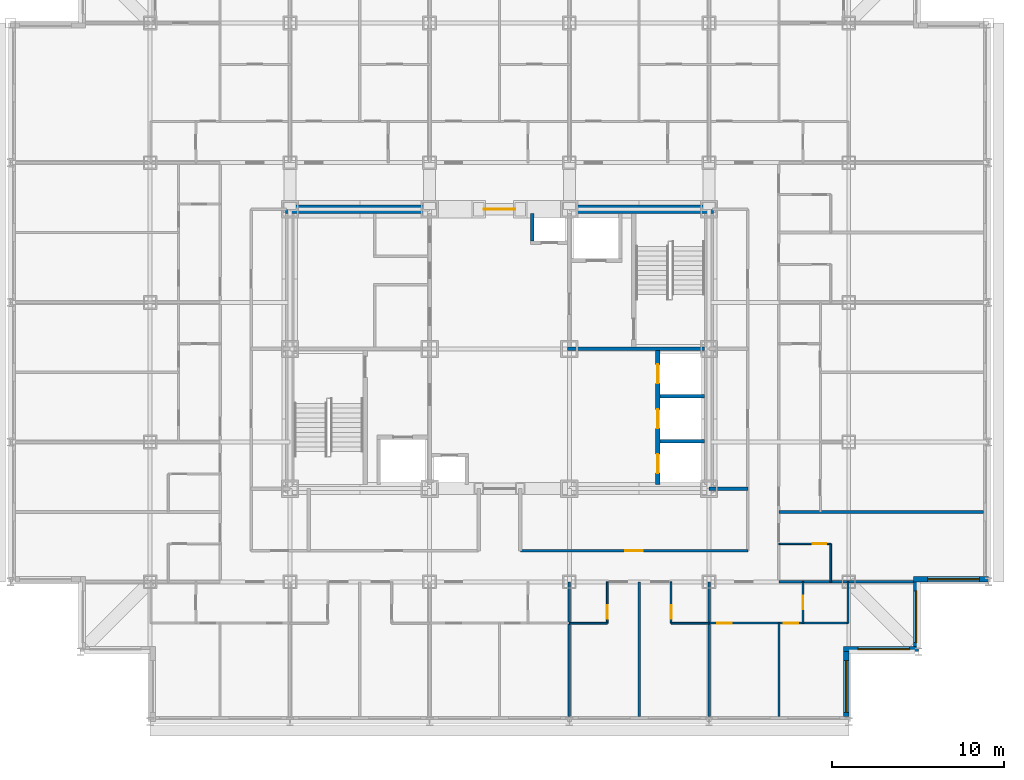
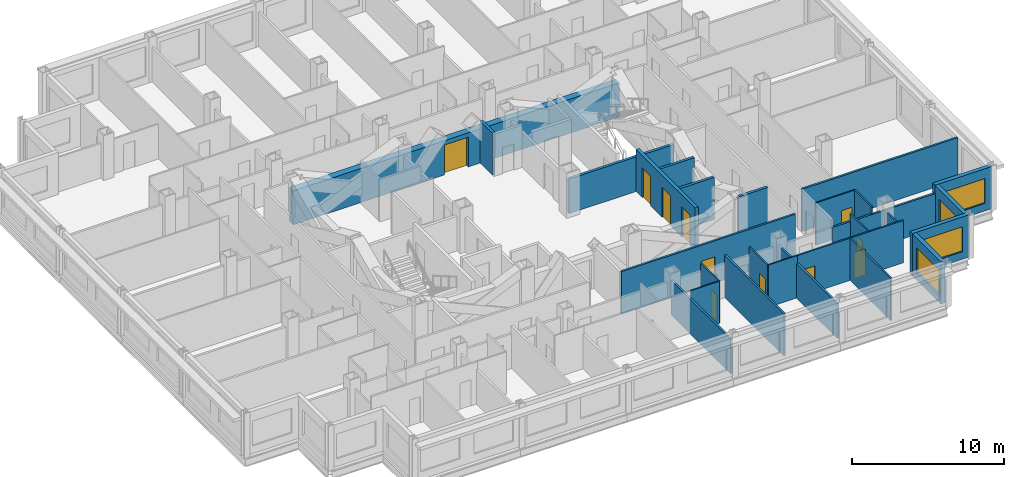
# One storey, part 7 of 12: 27 walls, 11 doors, 4 windows, 15 openings.
"""IFC4 building model written with IfcOpenShell, lengths in metres."""

import ifcopenshell
import ifcopenshell.guid

model = None  # the IFC model being written
_history = None  # IfcOwnerHistory: only IFC2X3 demands one
_inside = {}  # id of a spatial element -> (the spatial element, [elements in it])
_under = {}  # id of a project, library or spatial element -> (it, [spatial elements below it])
_declared = {}  # id of a project -> (the project, [libraries it declares])
_typed = {}  # id of a type object -> (the type object, [elements of that type])
_made_of = {}  # id of a material, layer set ... -> (it, [elements and type objects made of it])


def new_model(schema):
    """Start an empty IFC model of exactly this schema.

    Asked for "IFC4X3", IfcOpenShell would pick the latest addendum, in which some entities
    have other attributes; the version numbers below select the first issue.
    IFC2X3 requires an IfcOwnerHistory on every rooted entity: one is made here for all.
    """
    global model, _history
    if schema == "IFC4X3":
        model = ifcopenshell.file(schema_version=(4, 3, 0, 0))
    else:
        model = ifcopenshell.file(schema=schema)
    _inside.clear()
    _under.clear()
    _declared.clear()
    _typed.clear()
    _made_of.clear()
    _history = None
    if model.schema == "IFC2X3":
        org = make("IfcOrganization", Name="unknown")
        user = make(
            "IfcPersonAndOrganization",
            ThePerson=make("IfcPerson", FamilyName="unknown"),
            TheOrganization=org,
        )
        app = make(
            "IfcApplication",
            ApplicationDeveloper=org,
            Version="unknown",
            ApplicationFullName="unknown",
            ApplicationIdentifier="unknown",
        )
        _history = make(
            "IfcOwnerHistory",
            OwningUser=user,
            OwningApplication=app,
            ChangeAction="ADDED",
            CreationDate=0,
        )
    return model


def make(cls, **values):
    """One entity of the class cls with the attributes given. An attribute that is None is left unset."""
    return model.create_entity(
        cls, **{name: value for name, value in values.items() if value is not None}
    )


def rooted(cls, **values):
    """An entity with a GlobalId (a new one), such as an element, a storey or a relation."""
    return make(cls, GlobalId=ifcopenshell.guid.new(), OwnerHistory=_history, **values)


def si_unit(unit_type, name, prefix=None):
    """IfcSIUnit, for example si_unit("LENGTHUNIT", "METRE", prefix="MILLI")."""
    return make("IfcSIUnit", UnitType=unit_type, Prefix=prefix, Name=name)


def assignment(units):
    """IfcUnitAssignment: the units of a project."""
    return None if units is None else make("IfcUnitAssignment", Units=units)


def point(xyz):
    """IfcCartesianPoint."""
    return None if xyz is None else make("IfcCartesianPoint", Coordinates=xyz)


def direction(xyz):
    """IfcDirection."""
    return None if xyz is None else make("IfcDirection", DirectionRatios=xyz)


def frame(location, z_axis=None, x_axis=None):
    """IfcAxis2Placement3D, a coordinate frame: its origin and axes. An axis left out is left unset."""
    return make(
        "IfcAxis2Placement3D",
        Location=point(location),
        Axis=direction(z_axis),
        RefDirection=direction(x_axis),
    )


def frame_2d(location, x_axis=None):
    """IfcAxis2Placement2D, a coordinate frame in the plane: its origin and x axis."""
    return make(
        "IfcAxis2Placement2D", Location=point(location), RefDirection=direction(x_axis)
    )


def origin():
    """The frame at (0, 0, 0) with its axes left unset."""
    return frame((0.0, 0.0, 0.0))


def place(relative_to, where):
    """IfcLocalPlacement: puts the frame where relative to a parent placement (None: the world)."""
    return make(
        "IfcLocalPlacement", PlacementRelTo=relative_to, RelativePlacement=where
    )


def context(
    kind, dimensions, precision=None, world=None, true_north=None, identifier=None
):
    """IfcGeometricRepresentationContext, for example the 3D "Model" context."""
    return make(
        "IfcGeometricRepresentationContext",
        ContextIdentifier=identifier,
        ContextType=kind,
        CoordinateSpaceDimension=dimensions,
        Precision=precision,
        WorldCoordinateSystem=world,
        TrueNorth=true_north,
    )


def subcontext(parent, identifier, kind, view, scale=None):
    """IfcGeometricRepresentationSubContext, for example "Body" below "Model"."""
    return make(
        "IfcGeometricRepresentationSubContext",
        ContextIdentifier=identifier,
        ContextType=kind,
        ParentContext=parent,
        TargetScale=scale,
        TargetView=view,
    )


def project(units=None, contexts=None):
    """IfcProject with its units and contexts."""
    return rooted(
        "IfcProject",
        Name="project",
        RepresentationContexts=contexts,
        UnitsInContext=assignment(units),
    )


def spatial(cls, under=None, at=None, **own):
    """A site, building, storey or space (cls), placed at a placement, below another one or the project."""
    s = rooted(cls, ObjectPlacement=at, **own)
    if under is not None:
        _under.setdefault(under.id(), (under, []))[1].append(s)
    return s


def profile(cls, at=None, kind="AREA", **sizes):
    """A parametric profile (cls). Its sizes go by their IFC names, for example OverallWidth=200.0."""
    return make(cls, ProfileType=kind, Position=at, **sizes)


def rectangle(**sizes):
    """IfcRectangleProfileDef."""
    return profile("IfcRectangleProfileDef", **sizes)


def extrude(swept, where, along, depth):
    """IfcExtrudedAreaSolid: the profile swept, set in the frame where, extruded along a direction by depth."""
    return make(
        "IfcExtrudedAreaSolid",
        SweptArea=swept,
        Position=where,
        ExtrudedDirection=direction(along),
        Depth=depth,
    )


def shape(context_of_items, identifier, shape_type, items):
    """IfcShapeRepresentation: the items that make up one representation, for example the "Body"."""
    return make(
        "IfcShapeRepresentation",
        ContextOfItems=context_of_items,
        RepresentationIdentifier=identifier,
        RepresentationType=shape_type,
        Items=items,
    )


def material(Name=None, Category=None):
    """IfcMaterial."""
    return make("IfcMaterial", Name=Name, Category=Category)


def layer(
    of_material, thickness, ventilated=None, Name=None, Category=None, Priority=None
):
    """IfcMaterialLayer: one layer of a wall or slab, of a material (None: an air gap)."""
    return make(
        "IfcMaterialLayer",
        Material=of_material,
        LayerThickness=thickness,
        IsVentilated=ventilated,
        Name=Name,
        Category=Category,
        Priority=Priority,
    )


def layer_set(layers, Name=None):
    """IfcMaterialLayerSet."""
    return make("IfcMaterialLayerSet", MaterialLayers=layers, LayerSetName=Name)


def made_of(thing, what):
    """Note that an element or type object is made of a material, layer set ...; save() writes the relation."""
    if what is not None:
        _made_of.setdefault(what.id(), (what, []))[1].append(thing)
    return thing


def type_object(cls, material=None, **own):
    """A type object (cls), such as IfcWallType, which elements share."""
    return made_of(rooted(cls, **own), material)


def element(
    cls,
    number,
    at=None,
    inside=None,
    cuts=None,
    type_object=None,
    material=None,
    context=None,
    identifier="Body",
    shape_type=None,
    held_by="IfcProductDefinitionShape",
    body=None,
    shapes=None,
    **own,
):
    """One element of the class cls, such as IfcWall. Its Tag is "e" and its number.

    at: its placement. inside: the storey or other place that contains it. cuts: it is an
    opening in that element (IfcRelVoidsElement). A single representation is given by context,
    identifier, shape_type and body (its items); several are given by shapes. held_by: the class
    of the entity that holds the representations. save() writes the other relations.
    """
    e = rooted(cls, Tag="e%d" % number, ObjectPlacement=at, **own)
    if body is not None:
        shapes = [shape(context, identifier, shape_type, body)]
    if shapes is not None:
        e.Representation = make(held_by, Representations=shapes)
    if inside is not None:
        _inside.setdefault(inside.id(), (inside, []))[1].append(e)
    if cuts is not None:
        rooted(
            "IfcRelVoidsElement", RelatingBuildingElement=cuts, RelatedOpeningElement=e
        )
    if type_object is not None:
        _typed.setdefault(type_object.id(), (type_object, []))[1].append(e)
    return made_of(e, material)


def fill(opening, filler):
    """IfcRelFillsElement: the door or window that sits in an opening."""
    return rooted(
        "IfcRelFillsElement",
        RelatingOpeningElement=opening,
        RelatedBuildingElement=filler,
    )


def aggregate(whole, parts):
    """IfcRelAggregates: a whole, such as a stair, and the parts it consists of."""
    return rooted("IfcRelAggregates", RelatingObject=whole, RelatedObjects=parts)


def save(model, path):
    """Write the relations noted so far, then the file.

    IfcRelAggregates (storeys below a building ...), IfcRelContainedInSpatialStructure (elements
    in a storey), IfcRelDefinesByType, IfcRelAssociatesMaterial and IfcRelDeclares: one each for
    every whole, place, type object, material and project.
    """
    for whole, parts in _under.values():
        aggregate(whole, parts)
    for where, things in _inside.values():
        rooted(
            "IfcRelContainedInSpatialStructure",
            RelatedElements=things,
            RelatingStructure=where,
        )
    for kind, things in _typed.values():
        rooted("IfcRelDefinesByType", RelatedObjects=things, RelatingType=kind)
    for what, things in _made_of.values():
        rooted("IfcRelAssociatesMaterial", RelatedObjects=things, RelatingMaterial=what)
    for by, libraries in _declared.values():
        rooted("IfcRelDeclares", RelatingContext=by, RelatedDefinitions=libraries)
    model.write(path)


model = new_model("IFC4")

# Units and contexts
model_context = context("Model", 3, precision=1e-05, world=origin(), true_north=direction((0.0, 1.0)))
body_context = subcontext(model_context, "Body", "Model", "MODEL_VIEW")
ifc_project = project(units=[si_unit("LENGTHUNIT", "METRE"), si_unit("AREAUNIT", "SQUARE_METRE"), si_unit("VOLUMEUNIT", "CUBIC_METRE"), si_unit("PLANEANGLEUNIT", "RADIAN"), si_unit("MASSUNIT", "GRAM", prefix="KILO")], contexts=[model_context])

# Site, building, storey
site_placement = place(None, origin())
site = spatial("IfcSite", under=ifc_project, at=site_placement, CompositionType="ELEMENT")
building_placement = place(site_placement, origin())
building = spatial("IfcBuilding", under=site, at=building_placement, Name="Kopane Lantern Tower", CompositionType="ELEMENT")
storey_placement = place(building_placement, frame((0.0, 0.0, 177.60009765625)))
storey = spatial("IfcBuildingStorey", under=building, at=storey_placement, Name="L45", CompositionType="ELEMENT", Elevation=177.60009765625)

# Wall, openings, doors
ifc_material_1 = material(Name="Gypsum board on steel studs", Category="steel")
ifc_layer_1 = layer(ifc_material_1, 0.1201171875)
ifc_layer_set_1 = layer_set([ifc_layer_1], Name="APARTMENT INTERNAL WALL 120")
wall_type_1 = type_object("IfcWallType", Name="APARTMENT INTERNAL WALL 120", PredefinedType="PARTITIONING", material=ifc_layer_set_1)
wall_1_placement = place(storey_placement, frame((40.5, 16.5, 0.0), z_axis=(0.0, 0.0, 1.0), x_axis=(1.0, 0.0, 0.0)))
wall_1 = element("IfcWall", 1, at=wall_1_placement, inside=storey, type_object=wall_type_1, Name="Apartment Internal Wall 120 L45", PredefinedType="PARTITIONING", context=body_context, shape_type="SweptSolid", body=[
    extrude(rectangle(XDim=8.050048828125, YDim=0.1201171875, at=frame_2d((4.02490234375, 0.0))), origin(), (0.0, 0.0, 1.0), 3.389892578125),
])
opening_1_placement = place(wall_1_placement, frame((0.47509765625, 0.0, 0.0)))
opening_1 = element("IfcOpeningElement", 2, at=opening_1_placement, cuts=wall_1, Name="Opening L45-059", PredefinedType="OPENING", context=body_context, shape_type="SweptSolid", body=[
    extrude(rectangle(XDim=0.85009765625, YDim=2.10009765625, at=frame_2d((0.425048828125, 1.050048828125))), frame((0.0, 0.070068359375, 0.0), z_axis=(0.0, -1.0, 0.0), x_axis=(1.0, 0.0, 0.0)), (0.0, 0.0, 1.0), 0.14013671875),
])
opening_2_placement = place(wall_1_placement, frame((4.324951171875, 0.0, 0.0)))
opening_2 = element("IfcOpeningElement", 3, at=opening_2_placement, cuts=wall_1, Name="Opening L45-061", PredefinedType="OPENING", context=body_context, shape_type="SweptSolid", body=[
    extrude(rectangle(XDim=0.85009765625, YDim=2.10009765625, at=frame_2d((0.425048828125, 1.050048828125))), frame((0.0, 0.070068359375, 0.0), z_axis=(0.0, -1.0, 0.0), x_axis=(1.0, 0.0, 0.0)), (0.0, 0.0, 1.0), 0.14013671875),
])
ifc_material_2 = material(Name="Timber door set", Category="wood")
door_type_1 = type_object("IfcDoorType", Name="DOOR D4 850x2100", OperationType="SINGLE_SWING_LEFT", PredefinedType="DOOR", material=ifc_material_2)
door_1_placement = place(opening_1_placement, origin())
door_1 = element("IfcDoor", 4, at=door_1_placement, inside=storey, type_object=door_type_1, Name="Door L45-059", OperationType="SINGLE_SWING_LEFT", OverallHeight=2.10009765625, OverallWidth=0.85009765625, PredefinedType="DOOR", context=body_context, shape_type="SweptSolid", body=[
    extrude(rectangle(XDim=0.85009765625, YDim=2.10009765625, at=frame_2d((0.425048828125, 1.050048828125))), frame((0.0, 0.02490234375, 0.0), z_axis=(0.0, -1.0, 0.0), x_axis=(1.0, 0.0, 0.0)), (0.0, 0.0, 1.0), 0.050048828125),
])
fill(opening_1, door_1)
door_2_placement = place(opening_2_placement, origin())
door_2 = element("IfcDoor", 5, at=door_2_placement, inside=storey, type_object=door_type_1, Name="Door L45-061", OperationType="SINGLE_SWING_RIGHT", OverallHeight=2.10009765625, OverallWidth=0.85009765625, PredefinedType="DOOR", context=body_context, shape_type="SweptSolid", body=[
    extrude(rectangle(XDim=0.85009765625, YDim=2.10009765625, at=frame_2d((0.425048828125, 1.050048828125))), frame((0.0, 0.02490234375, 0.0), z_axis=(0.0, -1.0, 0.0), x_axis=(1.0, 0.0, 0.0)), (0.0, 0.0, 1.0), 0.050048828125),
])
fill(opening_2, door_2)

# Walls
wall_2_placement = place(storey_placement, frame((44.550048828125, 16.5, 0.0), z_axis=(0.0, 0.0, 1.0), x_axis=(0.0, -1.0, 0.0)))
element("IfcWall", 6, at=wall_2_placement, inside=storey, type_object=wall_type_1, Name="Apartment Internal Wall 120 L45", PredefinedType="PARTITIONING", context=body_context, shape_type="SweptSolid", body=[
    extrude(rectangle(XDim=5.39990234375, YDim=0.1201171875, at=frame_2d((2.699951171875, 0.0))), origin(), (0.0, 0.0, 1.0), 3.389892578125),
])
ifc_material_3 = material(Name="Moisture-resistant board on steel studs", Category="steel")
ifc_layer_2 = layer(ifc_material_3, 0.10009765625)
ifc_layer_set_2 = layer_set([ifc_layer_2], Name="BATHROOM WALL 100")
wall_type_2 = type_object("IfcWallType", Name="BATHROOM WALL 100", PredefinedType="PARTITIONING", material=ifc_layer_set_2)
wall_3_placement = place(storey_placement, frame((32.39990234375, 16.5, 0.0), z_axis=(0.0, 0.0, 1.0), x_axis=(1.0, 0.0, 0.0)))
element("IfcWall", 7, at=wall_3_placement, inside=storey, type_object=wall_type_2, Name="Bathroom Wall 100 L45", PredefinedType="PARTITIONING", context=body_context, shape_type="SweptSolid", body=[
    extrude(rectangle(XDim=2.2001953125, YDim=0.10009765625, at=frame_2d((1.10009765625, 0.0))), origin(), (0.0, 0.0, 1.0), 3.389892578125),
])

# Wall, opening, door
wall_4_placement = place(storey_placement, frame((34.60009765625, 18.89990234375, 0.0), z_axis=(0.0, 0.0, 1.0), x_axis=(0.0, -1.0, 0.0)))
wall_4 = element("IfcWall", 8, at=wall_4_placement, inside=storey, type_object=wall_type_2, Name="Bathroom Wall 100 L45", PredefinedType="PARTITIONING", context=body_context, shape_type="SweptSolid", body=[
    extrude(rectangle(XDim=2.39990234375, YDim=0.10009765625, at=frame_2d((1.199951171875, 0.0))), origin(), (0.0, 0.0, 1.0), 3.389892578125),
])
opening_3_placement = place(wall_4_placement, frame((1.35009765625, 0.0, 0.0)))
opening_3 = element("IfcOpeningElement", 9, at=opening_3_placement, cuts=wall_4, Name="Opening L45-016", PredefinedType="OPENING", context=body_context, shape_type="SweptSolid", body=[
    extrude(rectangle(XDim=0.800048828125, YDim=2.10009765625, at=frame_2d((0.39990234375, 1.050048828125))), frame((0.0, 0.06005859375, 0.0), z_axis=(0.0, -1.0, 0.0), x_axis=(1.0, 0.0, 0.0)), (0.0, 0.0, 1.0), 0.1201171875),
])
ifc_material_4 = material(Name="Timber door set", Category="wood")
door_type_2 = type_object("IfcDoorType", Name="DOOR D2 800x2100", OperationType="SINGLE_SWING_LEFT", PredefinedType="DOOR", material=ifc_material_4)
door_3_placement = place(opening_3_placement, origin())
door_3 = element("IfcDoor", 10, at=door_3_placement, inside=storey, type_object=door_type_2, Name="Door L45-016", OperationType="SINGLE_SWING_LEFT", OverallHeight=2.10009765625, OverallWidth=0.800048828125, PredefinedType="DOOR", context=body_context, shape_type="SweptSolid", body=[
    extrude(rectangle(XDim=0.800048828125, YDim=2.10009765625, at=frame_2d((0.39990234375, 1.050048828125))), frame((0.0, 0.02490234375, 0.0), z_axis=(0.0, -1.0, 0.0), x_axis=(1.0, 0.0, 0.0)), (0.0, 0.0, 1.0), 0.050048828125),
])
fill(opening_3, door_3)

# Wall
wall_5_placement = place(storey_placement, frame((38.300048828125, 16.5, 0.0), z_axis=(0.0, 0.0, 1.0), x_axis=(1.0, 0.0, 0.0)))
element("IfcWall", 11, at=wall_5_placement, inside=storey, type_object=wall_type_2, Name="Bathroom Wall 100 L45", PredefinedType="PARTITIONING", context=body_context, shape_type="SweptSolid", body=[
    extrude(rectangle(XDim=2.199951171875, YDim=0.10009765625, at=frame_2d((1.10009765625, 0.0))), origin(), (0.0, 0.0, 1.0), 3.389892578125),
])

# Wall, opening, door
wall_6_placement = place(storey_placement, frame((38.300048828125, 18.89990234375, 0.0), z_axis=(0.0, 0.0, 1.0), x_axis=(0.0, -1.0, 0.0)))
wall_6 = element("IfcWall", 12, at=wall_6_placement, inside=storey, type_object=wall_type_2, Name="Bathroom Wall 100 L45", PredefinedType="PARTITIONING", context=body_context, shape_type="SweptSolid", body=[
    extrude(rectangle(XDim=2.39990234375, YDim=0.10009765625, at=frame_2d((1.199951171875, 0.0))), origin(), (0.0, 0.0, 1.0), 3.389892578125),
])
opening_4_placement = place(wall_6_placement, frame((1.35009765625, 0.0, 0.0)))
opening_4 = element("IfcOpeningElement", 13, at=opening_4_placement, cuts=wall_6, Name="Opening L45-018", PredefinedType="OPENING", context=body_context, shape_type="SweptSolid", body=[
    extrude(rectangle(XDim=0.800048828125, YDim=2.10009765625, at=frame_2d((0.39990234375, 1.050048828125))), frame((0.0, 0.06005859375, 0.0), z_axis=(0.0, -1.0, 0.0), x_axis=(1.0, 0.0, 0.0)), (0.0, 0.0, 1.0), 0.1201171875),
])
door_4_placement = place(opening_4_placement, origin())
door_4 = element("IfcDoor", 14, at=door_4_placement, inside=storey, type_object=door_type_2, Name="Door L45-018", OperationType="SINGLE_SWING_RIGHT", OverallHeight=2.10009765625, OverallWidth=0.800048828125, PredefinedType="DOOR", context=body_context, shape_type="SweptSolid", body=[
    extrude(rectangle(XDim=0.800048828125, YDim=2.10009765625, at=frame_2d((0.39990234375, 1.050048828125))), frame((0.0, 0.02490234375, 0.0), z_axis=(0.0, -1.0, 0.0), x_axis=(1.0, 0.0, 0.0)), (0.0, 0.0, 1.0), 0.050048828125),
])
fill(opening_4, door_4)

# Wall
wall_7_placement = place(storey_placement, frame((47.550048828125, 18.89990234375, 0.0), z_axis=(0.0, 0.0, 1.0), x_axis=(0.0, 1.0, 0.0)))
element("IfcWall", 15, at=wall_7_placement, inside=storey, type_object=wall_type_2, Name="Bathroom Wall 100 L45", PredefinedType="PARTITIONING", context=body_context, shape_type="SweptSolid", body=[
    extrude(rectangle(XDim=2.2001953125, YDim=0.10009765625, at=frame_2d((1.10009765625, 0.0))), origin(), (0.0, 0.0, 1.0), 3.389892578125),
])

# Wall, opening, door
wall_8_placement = place(storey_placement, frame((44.550048828125, 21.10009765625, 0.0), z_axis=(0.0, 0.0, 1.0), x_axis=(1.0, 0.0, 0.0)))
wall_8 = element("IfcWall", 16, at=wall_8_placement, inside=storey, type_object=wall_type_2, Name="Bathroom Wall 100 L45", PredefinedType="PARTITIONING", context=body_context, shape_type="SweptSolid", body=[
    extrude(rectangle(XDim=3.0, YDim=0.10009765625, at=frame_2d((1.5, 0.0))), origin(), (0.0, 0.0, 1.0), 3.389892578125),
])
opening_5_placement = place(wall_8_placement, frame((1.949951171875, 0.0, 0.0)))
opening_5 = element("IfcOpeningElement", 17, at=opening_5_placement, cuts=wall_8, Name="Opening L45-044", PredefinedType="OPENING", context=body_context, shape_type="SweptSolid", body=[
    extrude(rectangle(XDim=0.800048828125, YDim=2.10009765625, at=frame_2d((0.39990234375, 1.050048828125))), frame((0.0, 0.06005859375, 0.0), z_axis=(0.0, -1.0, 0.0), x_axis=(1.0, 0.0, 0.0)), (0.0, 0.0, 1.0), 0.1201171875),
])
door_5_placement = place(opening_5_placement, origin())
door_5 = element("IfcDoor", 18, at=door_5_placement, inside=storey, type_object=door_type_2, Name="Door L45-044", OperationType="SINGLE_SWING_LEFT", OverallHeight=2.10009765625, OverallWidth=0.800048828125, PredefinedType="DOOR", context=body_context, shape_type="SweptSolid", body=[
    extrude(rectangle(XDim=0.800048828125, YDim=2.10009765625, at=frame_2d((0.39990234375, 1.050048828125))), frame((0.0, 0.02490234375, 0.0), z_axis=(0.0, -1.0, 0.0), x_axis=(1.0, 0.0, 0.0)), (0.0, 0.0, 1.0), 0.050048828125),
])
fill(opening_5, door_5)

wall_9_placement = place(storey_placement, frame((45.949951171875, 18.89990234375, 0.0), z_axis=(0.0, 0.0, 1.0), x_axis=(0.0, -1.0, 0.0)))
wall_9 = element("IfcWall", 19, at=wall_9_placement, inside=storey, type_object=wall_type_2, Name="Bathroom Wall 100 L45", PredefinedType="PARTITIONING", context=body_context, shape_type="SweptSolid", body=[
    extrude(rectangle(XDim=2.39990234375, YDim=0.10009765625, at=frame_2d((1.199951171875, 0.0))), origin(), (0.0, 0.0, 1.0), 3.389892578125),
])
opening_6_placement = place(wall_9_placement, frame((0.800048828125, 0.0, 0.0)))
opening_6 = element("IfcOpeningElement", 20, at=opening_6_placement, cuts=wall_9, Name="Opening L45-060", PredefinedType="OPENING", context=body_context, shape_type="SweptSolid", body=[
    extrude(rectangle(XDim=0.800048828125, YDim=2.10009765625, at=frame_2d((0.39990234375, 1.050048828125))), frame((0.0, 0.06005859375, 0.0), z_axis=(0.0, -1.0, 0.0), x_axis=(1.0, 0.0, 0.0)), (0.0, 0.0, 1.0), 0.1201171875),
])
door_6_placement = place(opening_6_placement, origin())
door_6 = element("IfcDoor", 21, at=door_6_placement, inside=storey, type_object=door_type_2, Name="Door L45-060", OperationType="SINGLE_SWING_LEFT", OverallHeight=2.10009765625, OverallWidth=0.800048828125, PredefinedType="DOOR", context=body_context, shape_type="SweptSolid", body=[
    extrude(rectangle(XDim=0.800048828125, YDim=2.10009765625, at=frame_2d((0.39990234375, 1.050048828125))), frame((0.0, 0.02490234375, 0.0), z_axis=(0.0, -1.0, 0.0), x_axis=(1.0, 0.0, 0.0)), (0.0, 0.0, 1.0), 0.050048828125),
])
fill(opening_6, door_6)

# Wall
wall_10_placement = place(storey_placement, frame((48.550048828125, 18.89990234375, 0.0), z_axis=(0.0, 0.0, 1.0), x_axis=(0.0, -1.0, 0.0)))
element("IfcWall", 22, at=wall_10_placement, inside=storey, type_object=wall_type_2, Name="Bathroom Wall 100 L45", PredefinedType="PARTITIONING", context=body_context, shape_type="SweptSolid", body=[
    extrude(rectangle(XDim=2.39990234375, YDim=0.10009765625, at=frame_2d((1.199951171875, 0.0))), origin(), (0.0, 0.0, 1.0), 2.777587890625),
])

# Wall, opening, door
ifc_material_5 = material(Name="Gypsum shaft wall EI 120", Category="gypsum")
ifc_layer_3 = layer(ifc_material_5, 0.5)
ifc_layer_set_3 = layer_set([ifc_layer_3], Name="CORE PERIMETER WALL 500 EI 120")
wall_type_3 = type_object("IfcWallType", Name="CORE PERIMETER WALL 500 EI 120", PredefinedType="SOLIDWALL", material=ifc_layer_set_3)
wall_11_placement = place(storey_placement, frame((15.949951171875, 40.5, 0.0), z_axis=(0.0, 0.0, 1.0), x_axis=(1.0, 0.0, 0.0)))
wall_11 = element("IfcWall", 23, at=wall_11_placement, inside=storey, type_object=wall_type_3, Name="Core shaft wall L45 PN", PredefinedType="SOLIDWALL", context=body_context, shape_type="SweptSolid", body=[
    extrude(rectangle(XDim=24.800048828125, YDim=0.5, at=frame_2d((12.39990234375, 0.0))), origin(), (0.0, 0.0, 1.0), 2.739990234375),
])
opening_7_placement = place(wall_11_placement, frame((11.5, 0.0, 0.0)))
opening_7 = element("IfcOpeningElement", 24, at=opening_7_placement, cuts=wall_11, Name="Opening 45.CE-N", PredefinedType="OPENING", context=body_context, shape_type="SweptSolid", body=[
    extrude(rectangle(XDim=1.800048828125, YDim=2.39990234375, at=frame_2d((0.89990234375, 1.199951171875))), frame((0.0, 0.260009765625, 0.0), z_axis=(0.0, -1.0, 0.0), x_axis=(1.0, 0.0, 0.0)), (0.0, 0.0, 1.0), 0.52001953125),
])
ifc_material_6 = material(Name="Steel door set", Category="steel")
door_type_3 = type_object("IfcDoorType", Name="CORE ENTRY DOOR 1800x2400 FD60S", OperationType="DOUBLE_DOOR_SINGLE_SWING", PredefinedType="DOOR", material=ifc_material_6)
door_7_placement = place(opening_7_placement, origin())
door_7 = element("IfcDoor", 25, at=door_7_placement, inside=storey, type_object=door_type_3, Name="Core entry door L45 north", OperationType="DOUBLE_DOOR_SINGLE_SWING", OverallHeight=2.39990234375, OverallWidth=1.800048828125, PredefinedType="DOOR", context=body_context, shape_type="SweptSolid", body=[
    extrude(rectangle(XDim=1.800048828125, YDim=2.39990234375, at=frame_2d((0.89990234375, 1.199951171875))), frame((0.0, 0.02490234375, 0.0), z_axis=(0.0, -1.0, 0.0), x_axis=(1.0, 0.0, 0.0)), (0.0, 0.0, 1.0), 0.050048828125),
])
fill(opening_7, door_7)

# Wall, openings, doors
ifc_material_7 = material(Name="Gypsum shaft wall EI 120", Category="gypsum")
ifc_layer_4 = layer(ifc_material_7, 0.25)
ifc_layer_set_4 = layer_set([ifc_layer_4], Name="CORE SHAFT WALL 250 EI 120")
wall_type_4 = type_object("IfcWallType", Name="CORE SHAFT WALL 250 EI 120", PredefinedType="SOLIDWALL", material=ifc_layer_set_4)
wall_12_placement = place(storey_placement, frame((37.52490234375, 24.550048828125, 0.0), z_axis=(0.0, 0.0, 1.0), x_axis=(0.0, 1.0, 0.0)))
wall_12 = element("IfcWall", 26, at=wall_12_placement, inside=storey, type_object=wall_type_4, Name="Core shaft wall L45 XLR", PredefinedType="SOLIDWALL", context=body_context, shape_type="SweptSolid", body=[
    extrude(rectangle(XDim=7.75, YDim=0.25, at=frame_2d((3.875, 0.0))), origin(), (0.0, 0.0, 1.0), 3.389892578125),
])
opening_8_placement = place(wall_12_placement, frame((0.64990234375, 0.0, 0.0)))
opening_8 = element("IfcOpeningElement", 27, at=opening_8_placement, cuts=wall_12, Name="Opening 45.LD-LR1", PredefinedType="OPENING", context=body_context, shape_type="SweptSolid", body=[
    extrude(rectangle(XDim=1.10009765625, YDim=2.39990234375, at=frame_2d((0.550048828125, 1.199951171875))), frame((0.0, 0.135009765625, 0.0), z_axis=(0.0, -1.0, 0.0), x_axis=(1.0, 0.0, 0.0)), (0.0, 0.0, 1.0), 0.27001953125),
])
opening_9_placement = place(wall_12_placement, frame((3.25, 0.0, 0.0)))
opening_9 = element("IfcOpeningElement", 28, at=opening_9_placement, cuts=wall_12, Name="Opening 45.LD-LR2", PredefinedType="OPENING", context=body_context, shape_type="SweptSolid", body=[
    extrude(rectangle(XDim=1.10009765625, YDim=2.39990234375, at=frame_2d((0.550048828125, 1.199951171875))), frame((0.0, 0.135009765625, 0.0), z_axis=(0.0, -1.0, 0.0), x_axis=(1.0, 0.0, 0.0)), (0.0, 0.0, 1.0), 0.27001953125),
])
opening_10_placement = place(wall_12_placement, frame((5.85009765625, 0.0, 0.0)))
opening_10 = element("IfcOpeningElement", 29, at=opening_10_placement, cuts=wall_12, Name="Opening 45.LD-LR3", PredefinedType="OPENING", context=body_context, shape_type="SweptSolid", body=[
    extrude(rectangle(XDim=1.10009765625, YDim=2.39990234375, at=frame_2d((0.550048828125, 1.199951171875))), frame((0.0, 0.135009765625, 0.0), z_axis=(0.0, -1.0, 0.0), x_axis=(1.0, 0.0, 0.0)), (0.0, 0.0, 1.0), 0.27001953125),
])
ifc_material_8 = material(Name="Steel door set", Category="steel")
door_type_4 = type_object("IfcDoorType", Name="LIFT LANDING DOOR 1100x2400 FD60", OperationType="DOUBLE_DOOR_SLIDING", PredefinedType="DOOR", material=ifc_material_8)
door_8_placement = place(opening_8_placement, origin())
door_8 = element("IfcDoor", 30, at=door_8_placement, inside=storey, type_object=door_type_4, Name="Landing door LR1 L45", OperationType="DOUBLE_DOOR_SLIDING", OverallHeight=2.39990234375, OverallWidth=1.10009765625, PredefinedType="DOOR", context=body_context, shape_type="SweptSolid", body=[
    extrude(rectangle(XDim=1.10009765625, YDim=2.39990234375, at=frame_2d((0.550048828125, 1.199951171875))), frame((0.0, 0.02490234375, 0.0), z_axis=(0.0, -1.0, 0.0), x_axis=(1.0, 0.0, 0.0)), (0.0, 0.0, 1.0), 0.050048828125),
])
fill(opening_8, door_8)
door_9_placement = place(opening_9_placement, origin())
door_9 = element("IfcDoor", 31, at=door_9_placement, inside=storey, type_object=door_type_4, Name="Landing door LR2 L45", OperationType="DOUBLE_DOOR_SLIDING", OverallHeight=2.39990234375, OverallWidth=1.10009765625, PredefinedType="DOOR", context=body_context, shape_type="SweptSolid", body=[
    extrude(rectangle(XDim=1.10009765625, YDim=2.39990234375, at=frame_2d((0.550048828125, 1.199951171875))), frame((0.0, 0.02490234375, 0.0), z_axis=(0.0, -1.0, 0.0), x_axis=(1.0, 0.0, 0.0)), (0.0, 0.0, 1.0), 0.050048828125),
])
fill(opening_9, door_9)
door_10_placement = place(opening_10_placement, origin())
door_10 = element("IfcDoor", 32, at=door_10_placement, inside=storey, type_object=door_type_4, Name="Landing door LR3 L45", OperationType="DOUBLE_DOOR_SLIDING", OverallHeight=2.39990234375, OverallWidth=1.10009765625, PredefinedType="DOOR", context=body_context, shape_type="SweptSolid", body=[
    extrude(rectangle(XDim=1.10009765625, YDim=2.39990234375, at=frame_2d((0.550048828125, 1.199951171875))), frame((0.0, 0.02490234375, 0.0), z_axis=(0.0, -1.0, 0.0), x_axis=(1.0, 0.0, 0.0)), (0.0, 0.0, 1.0), 0.050048828125),
])
fill(opening_10, door_10)

# Wall, opening, door
ifc_material_9 = material(Name="Gypsum board on steel studs", Category="steel")
ifc_layer_5 = layer(ifc_material_9, 0.14990234375)
ifc_layer_set_5 = layer_set([ifc_layer_5], Name="CORRIDOR WALL 150 EI 60")
wall_type_5 = type_object("IfcWallType", Name="CORRIDOR WALL 150 EI 60", PredefinedType="PARTITIONING", material=ifc_layer_set_5)
wall_13_placement = place(storey_placement, frame((29.56005859375, 20.699951171875, 0.0), z_axis=(0.0, 0.0, 1.0), x_axis=(1.0, 0.0, 0.0)))
wall_13 = element("IfcWall", 33, at=wall_13_placement, inside=storey, type_object=wall_type_5, Name="Corridor Wall 150 Ei 60 L45", PredefinedType="PARTITIONING", context=body_context, shape_type="SweptSolid", body=[
    extrude(rectangle(XDim=13.18994140625, YDim=0.14990234375, at=frame_2d((6.594970703125, 0.0))), origin(), (0.0, 0.0, 1.0), 3.389892578125),
])
opening_11_placement = place(wall_13_placement, frame((6.090087890625, 0.0, 0.0)))
opening_11 = element("IfcOpeningElement", 34, at=opening_11_placement, cuts=wall_13, Name="Opening L45-007", PredefinedType="OPENING", context=body_context, shape_type="SweptSolid", body=[
    extrude(rectangle(XDim=1.0, YDim=2.10009765625, at=frame_2d((0.5, 1.050048828125))), frame((0.0, 0.0849609375, 0.0), z_axis=(0.0, -1.0, 0.0), x_axis=(1.0, 0.0, 0.0)), (0.0, 0.0, 1.0), 0.169921875),
])
ifc_material_10 = material(Name="Steel door set", Category="steel")
door_type_5 = type_object("IfcDoorType", Name="DOOR D5 1000x2100 FD60", OperationType="SINGLE_SWING_LEFT", PredefinedType="DOOR", material=ifc_material_10)
door_11_placement = place(opening_11_placement, origin())
door_11 = element("IfcDoor", 35, at=door_11_placement, inside=storey, type_object=door_type_5, Name="Door L45-007", OperationType="SINGLE_SWING_LEFT", OverallHeight=2.10009765625, OverallWidth=1.0, PredefinedType="DOOR", context=body_context, shape_type="SweptSolid", body=[
    extrude(rectangle(XDim=1.0, YDim=2.10009765625, at=frame_2d((0.5, 1.050048828125))), frame((0.0, 0.02490234375, 0.0), z_axis=(0.0, -1.0, 0.0), x_axis=(1.0, 0.0, 0.0)), (0.0, 0.0, 1.0), 0.050048828125),
])
fill(opening_11, door_11)

# Walls
ifc_material_11 = material(Name="Gypsum board on steel studs", Category="steel")
ifc_layer_6 = layer(ifc_material_11, 0.14990234375)
ifc_layer_set_6 = layer_set([ifc_layer_6], Name="DEMISING WALL 150 EI 60")
wall_type_6 = type_object("IfcWallType", Name="DEMISING WALL 150 EI 60", PredefinedType="PARTITIONING", material=ifc_layer_set_6)
wall_14_placement = place(storey_placement, frame((32.39990234375, 18.89990234375, 0.0), z_axis=(0.0, 0.0, 1.0), x_axis=(0.0, -1.0, 0.0)))
element("IfcWall", 36, at=wall_14_placement, inside=storey, type_object=wall_type_6, Name="Demising Wall 150 Ei 60 L45", PredefinedType="PARTITIONING", context=body_context, shape_type="SweptSolid", body=[
    extrude(rectangle(XDim=7.7998046875, YDim=0.14990234375, at=frame_2d((3.89990234375, 0.0))), origin(), (0.0, 0.0, 1.0), 2.777587890625),
])
wall_15_placement = place(storey_placement, frame((36.449951171875, 18.89990234375, 0.0), z_axis=(0.0, 0.0, 1.0), x_axis=(0.0, -1.0, 0.0)))
element("IfcWall", 37, at=wall_15_placement, inside=storey, type_object=wall_type_6, Name="Demising Wall 150 Ei 60 L45", PredefinedType="PARTITIONING", context=body_context, shape_type="SweptSolid", body=[
    extrude(rectangle(XDim=7.7998046875, YDim=0.14990234375, at=frame_2d((3.89990234375, 0.0))), origin(), (0.0, 0.0, 1.0), 3.389892578125),
])
wall_16_placement = place(storey_placement, frame((44.550048828125, 22.949951171875, 0.0), z_axis=(0.0, 0.0, 1.0), x_axis=(1.0, 0.0, 0.0)))
element("IfcWall", 38, at=wall_16_placement, inside=storey, type_object=wall_type_6, Name="Demising Wall 150 Ei 60 L45", PredefinedType="PARTITIONING", context=body_context, shape_type="SweptSolid", body=[
    extrude(rectangle(XDim=11.849853515625, YDim=0.14990234375, at=frame_2d((5.9248046875, 0.0))), origin(), (0.0, 0.0, 1.0), 3.389892578125),
])
wall_17_placement = place(storey_placement, frame((44.550048828125, 18.89990234375, 0.0), z_axis=(0.0, 0.0, 1.0), x_axis=(1.0, 0.0, 0.0)))
element("IfcWall", 39, at=wall_17_placement, inside=storey, type_object=wall_type_6, Name="Demising Wall 150 Ei 60 L45", PredefinedType="PARTITIONING", context=body_context, shape_type="SweptSolid", body=[
    extrude(rectangle(XDim=7.800048828125, YDim=0.14990234375, at=frame_2d((3.89990234375, 0.0))), origin(), (0.0, 0.0, 1.0), 2.777587890625),
])
wall_18_placement = place(storey_placement, frame((40.5, 18.89990234375, 0.0), z_axis=(0.0, 0.0, 1.0), x_axis=(0.0, -1.0, 0.0)))
element("IfcWall", 40, at=wall_18_placement, inside=storey, type_object=wall_type_6, Name="Demising Wall 150 Ei 60 L45", PredefinedType="PARTITIONING", context=body_context, shape_type="SweptSolid", body=[
    extrude(rectangle(XDim=7.7998046875, YDim=0.14990234375, at=frame_2d((3.89990234375, 0.0))), origin(), (0.0, 0.0, 1.0), 2.777587890625),
])

# Wall, opening, window
ifc_material_12 = material(Name="Terracotta rainscreen on light steel framing", Category="masonry")
ifc_layer_7 = layer(ifc_material_12, 0.300048828125)
ifc_layer_set_7 = layer_set([ifc_layer_7], Name="EXTERNAL WALL EW1 300 TERRACOTTA")
wall_type_7 = type_object("IfcWallType", Name="EXTERNAL WALL EW1 300 TERRACOTTA", PredefinedType="SOLIDWALL", material=ifc_layer_set_7)
wall_19_placement = place(storey_placement, frame((48.449951171875, 11.10009765625, 0.0), z_axis=(0.0, 0.0, 1.0), x_axis=(0.0, 1.0, 0.0)))
wall_19 = element("IfcWall", 41, at=wall_19_placement, inside=storey, type_object=wall_type_7, Name="External wall E L45", PredefinedType="SOLIDWALL", context=body_context, shape_type="SweptSolid", body=[
    extrude(rectangle(XDim=3.75, YDim=0.300048828125, at=frame_2d((1.875, 0.0))), origin(), (0.0, 0.0, 1.0), 3.389892578125),
])
opening_12_placement = place(wall_19_placement, frame((0.22509765625, 0.0, 0.60009765625)))
opening_12 = element("IfcOpeningElement", 42, at=opening_12_placement, cuts=wall_19, Name="Opening WR300200", PredefinedType="OPENING", context=body_context, shape_type="SweptSolid", body=[
    extrude(rectangle(XDim=3.0, YDim=2.0, at=frame_2d((1.5, 1.0))), frame((0.0, 0.159912109375, 0.0), z_axis=(0.0, -1.0, 0.0), x_axis=(1.0, 0.0, 0.0)), (0.0, 0.0, 1.0), 0.320068359375),
])
ifc_material_13 = material(Name="Aluminium and clear glass", Category="aluminium")
window_type = type_object("IfcWindowType", Name="RIBBON WINDOW WR300200 3000x2000", PartitioningType="SINGLE_PANEL", PredefinedType="WINDOW", material=ifc_material_13)
window_1_placement = place(opening_12_placement, origin())
window_1 = element("IfcWindow", 43, at=window_1_placement, inside=storey, type_object=window_type, Name="Window E L45", OverallHeight=2.0, OverallWidth=3.0, PartitioningType="SINGLE_PANEL", PredefinedType="WINDOW", context=body_context, shape_type="SweptSolid", body=[
    extrude(rectangle(XDim=3.0, YDim=2.0, at=frame_2d((1.5, 1.0))), frame((0.0, 0.030029296875, 0.0), z_axis=(0.0, -1.0, 0.0), x_axis=(1.0, 0.0, 0.0)), (0.0, 0.0, 1.0), 0.06005859375),
])
fill(opening_12, window_1)

wall_20_placement = place(storey_placement, frame((48.300048828125, 15.0, 0.0), z_axis=(0.0, 0.0, 1.0), x_axis=(1.0, 0.0, 0.0)))
wall_20 = element("IfcWall", 44, at=wall_20_placement, inside=storey, type_object=wall_type_7, Name="External wall S L45", PredefinedType="SOLIDWALL", context=body_context, shape_type="SweptSolid", body=[
    extrude(rectangle(XDim=4.349853515625, YDim=0.300048828125, at=frame_2d((2.1748046875, 0.0))), origin(), (0.0, 0.0, 1.0), 3.389892578125),
])
opening_13_placement = place(wall_20_placement, frame((0.824951171875, 0.0, 0.60009765625)))
opening_13 = element("IfcOpeningElement", 45, at=opening_13_placement, cuts=wall_20, Name="Opening WR300200", PredefinedType="OPENING", context=body_context, shape_type="SweptSolid", body=[
    extrude(rectangle(XDim=3.0, YDim=2.0, at=frame_2d((1.5, 1.0))), frame((0.0, 0.159912109375, 0.0), z_axis=(0.0, -1.0, 0.0), x_axis=(1.0, 0.0, 0.0)), (0.0, 0.0, 1.0), 0.320068359375),
])
window_2_placement = place(opening_13_placement, origin())
window_2 = element("IfcWindow", 46, at=window_2_placement, inside=storey, type_object=window_type, Name="Window S L45", OverallHeight=2.0, OverallWidth=3.0, PartitioningType="SINGLE_PANEL", PredefinedType="WINDOW", context=body_context, shape_type="SweptSolid", body=[
    extrude(rectangle(XDim=3.0, YDim=2.0, at=frame_2d((1.5, 1.0))), frame((0.0, 0.030029296875, 0.0), z_axis=(0.0, -1.0, 0.0), x_axis=(1.0, 0.0, 0.0)), (0.0, 0.0, 1.0), 0.06005859375),
])
fill(opening_13, window_2)

wall_21_placement = place(storey_placement, frame((52.5, 15.14990234375, 0.0), z_axis=(0.0, 0.0, 1.0), x_axis=(0.0, 1.0, 0.0)))
wall_21 = element("IfcWall", 47, at=wall_21_placement, inside=storey, type_object=wall_type_7, Name="External wall E L45", PredefinedType="SOLIDWALL", context=body_context, shape_type="SweptSolid", body=[
    extrude(rectangle(XDim=3.75, YDim=0.300048828125, at=frame_2d((1.875, 0.0))), origin(), (0.0, 0.0, 1.0), 3.389892578125),
])
opening_14_placement = place(wall_21_placement, frame((0.22509765625, 0.0, 0.60009765625)))
opening_14 = element("IfcOpeningElement", 48, at=opening_14_placement, cuts=wall_21, Name="Opening WR300200", PredefinedType="OPENING", context=body_context, shape_type="SweptSolid", body=[
    extrude(rectangle(XDim=3.0, YDim=2.0, at=frame_2d((1.5, 1.0))), frame((0.0, 0.159912109375, 0.0), z_axis=(0.0, -1.0, 0.0), x_axis=(1.0, 0.0, 0.0)), (0.0, 0.0, 1.0), 0.320068359375),
])
window_3_placement = place(opening_14_placement, origin())
window_3 = element("IfcWindow", 49, at=window_3_placement, inside=storey, type_object=window_type, Name="Window E L45", OverallHeight=2.0, OverallWidth=3.0, PartitioningType="SINGLE_PANEL", PredefinedType="WINDOW", context=body_context, shape_type="SweptSolid", body=[
    extrude(rectangle(XDim=3.0, YDim=2.0, at=frame_2d((1.5, 1.0))), frame((0.0, 0.030029296875, 0.0), z_axis=(0.0, -1.0, 0.0), x_axis=(1.0, 0.0, 0.0)), (0.0, 0.0, 1.0), 0.06005859375),
])
fill(opening_14, window_3)

wall_22_placement = place(storey_placement, frame((52.35009765625, 19.050048828125, 0.0), z_axis=(0.0, 0.0, 1.0), x_axis=(1.0, 0.0, 0.0)))
wall_22 = element("IfcWall", 50, at=wall_22_placement, inside=storey, type_object=wall_type_7, Name="External wall S L45", PredefinedType="SOLIDWALL", context=body_context, shape_type="SweptSolid", body=[
    extrude(rectangle(XDim=4.349853515625, YDim=0.300048828125, at=frame_2d((2.1748046875, 0.0))), origin(), (0.0, 0.0, 1.0), 3.389892578125),
])
opening_15_placement = place(wall_22_placement, frame((0.824951171875, 0.0, 0.60009765625)))
opening_15 = element("IfcOpeningElement", 51, at=opening_15_placement, cuts=wall_22, Name="Opening WR300200", PredefinedType="OPENING", context=body_context, shape_type="SweptSolid", body=[
    extrude(rectangle(XDim=3.0, YDim=2.0, at=frame_2d((1.5, 1.0))), frame((0.0, 0.159912109375, 0.0), z_axis=(0.0, -1.0, 0.0), x_axis=(1.0, 0.0, 0.0)), (0.0, 0.0, 1.0), 0.320068359375),
])
window_4_placement = place(opening_15_placement, origin())
window_4 = element("IfcWindow", 52, at=window_4_placement, inside=storey, type_object=window_type, Name="Window S L45", OverallHeight=2.0, OverallWidth=3.0, PartitioningType="SINGLE_PANEL", PredefinedType="WINDOW", context=body_context, shape_type="SweptSolid", body=[
    extrude(rectangle(XDim=3.0, YDim=2.0, at=frame_2d((1.5, 1.0))), frame((0.0, 0.030029296875, 0.0), z_axis=(0.0, -1.0, 0.0), x_axis=(1.0, 0.0, 0.0)), (0.0, 0.0, 1.0), 0.06005859375),
])
fill(opening_15, window_4)

# Walls
ifc_material_14 = material(Name="Concrete masonry", Category="masonry")
ifc_layer_8 = layer(ifc_material_14, 0.199951171875)
ifc_layer_set_8 = layer_set([ifc_layer_8], Name="PLANT ROOM WALL 200 EI 120")
wall_type_8 = type_object("IfcWallType", Name="PLANT ROOM WALL 200 EI 120", PredefinedType="SOLIDWALL", material=ifc_layer_set_8)
wall_23_placement = place(storey_placement, frame((40.5, 24.300048828125, 0.0), z_axis=(0.0, 0.0, 1.0), x_axis=(1.0, 0.0, 0.0)))
element("IfcWall", 53, at=wall_23_placement, inside=storey, type_object=wall_type_8, Name="Plant Room Wall 200 Ei 120 L45", PredefinedType="SOLIDWALL", context=body_context, shape_type="SweptSolid", body=[
    extrude(rectangle(XDim=2.25, YDim=0.199951171875, at=frame_2d((1.125, 0.0))), origin(), (0.0, 0.0, 1.0), 3.389892578125),
])
ifc_material_15 = material(Name="Gypsum shaft wall EI 120", Category="gypsum")
ifc_layer_9 = layer(ifc_material_15, 0.199951171875)
ifc_layer_set_9 = layer_set([ifc_layer_9], Name="SHAFT WALL 200 EI 120")
wall_type_9 = type_object("IfcWallType", Name="SHAFT WALL 200 EI 120", PredefinedType="SOLIDWALL", material=ifc_layer_set_9)
wall_24_placement = place(storey_placement, frame((32.300048828125, 32.39990234375, 0.0), z_axis=(0.0, 0.0, 1.0), x_axis=(1.0, 0.0, 0.0)))
element("IfcWall", 54, at=wall_24_placement, inside=storey, type_object=wall_type_9, Name="Core shaft wall L45 Y324E", PredefinedType="SOLIDWALL", context=body_context, shape_type="SweptSolid", body=[
    extrude(rectangle(XDim=7.949951171875, YDim=0.199951171875, at=frame_2d((3.97509765625, 0.0))), origin(), (0.0, 0.0, 1.0), 2.777587890625),
])
for number, where, z_axis, x_axis, name in (
    (55, (37.64990234375, 27.050048828125, 0.0), (0.0, 0.0, 1.0), (1.0, 0.0, 0.0), "Core shaft wall L45 YLR12"),
    (56, (37.64990234375, 29.64990234375, 0.0), (0.0, 0.0, 1.0), (1.0, 0.0, 0.0), "Core shaft wall L45 YLR23"),
):
    element("IfcWall", number, at=place(storey_placement, frame(where, z_axis=z_axis, x_axis=x_axis)), inside=storey, type_object=wall_type_9, Name=name, PredefinedType="SOLIDWALL", context=body_context, shape_type="SweptSolid", body=[
        extrude(rectangle(XDim=2.60009765625, YDim=0.199951171875, at=frame_2d((1.300048828125, 0.0))), origin(), (0.0, 0.0, 1.0), 3.389892578125),
    ])
wall_25_placement = place(storey_placement, frame((30.25, 38.64990234375, 0.0), z_axis=(0.0, 0.0, 1.0), x_axis=(0.0, 1.0, 0.0)))
element("IfcWall", 57, at=wall_25_placement, inside=storey, type_object=wall_type_9, Name="Core shaft wall L45 XRS2", PredefinedType="SOLIDWALL", context=body_context, shape_type="SweptSolid", body=[
    extrude(rectangle(XDim=1.60009765625, YDim=0.199951171875, at=frame_2d((0.800048828125, 0.0))), origin(), (0.0, 0.0, 1.0), 3.389892578125),
])

save(model, "model.ifc")
